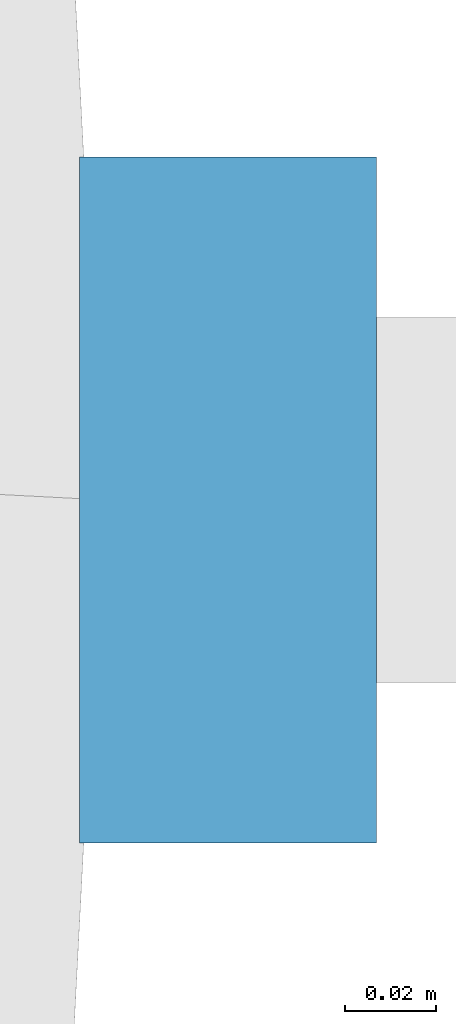
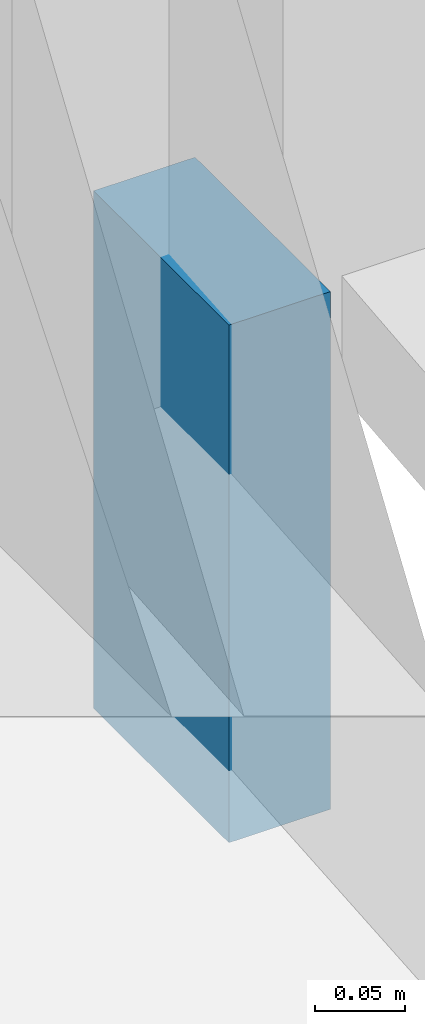
# One storey, part 16 of 20: 1 discrete accessory.
"""IFC4 building model written with IfcOpenShell, lengths in metres."""

from ifc_helpers import new_model, si_unit, direction, frame, origin, origin_2d, place, context, subcontext, project, spatial, rectangle, extrude, material, type_object, element, save


model = new_model("IFC4")

# Units and contexts
model_context = context("Model", 3, precision=1e-05, world=origin(), true_north=direction((0.0, 1.0)))
body_context = subcontext(model_context, "Body", "Model", "MODEL_VIEW")
ifc_project = project(units=[si_unit("LENGTHUNIT", "METRE"), si_unit("AREAUNIT", "SQUARE_METRE"), si_unit("VOLUMEUNIT", "CUBIC_METRE"), si_unit("PLANEANGLEUNIT", "RADIAN"), si_unit("MASSUNIT", "GRAM", prefix="KILO")], contexts=[model_context])

# Site, building, storey
site_placement = place(None, origin())
site = spatial("IfcSite", under=ifc_project, at=site_placement, CompositionType="ELEMENT")
building_placement = place(site_placement, origin())
building = spatial("IfcBuilding", under=site, at=building_placement, Name="Ghaith Harvest Tower", CompositionType="ELEMENT")
storey_placement = place(building_placement, frame((0.0, 0.0, 50.0)))
storey = spatial("IfcBuildingStorey", under=building, at=storey_placement, Name="L10", CompositionType="ELEMENT", Elevation=50.0)

# Discrete accessory
ifc_material = material(Name="Stainless steel grade 1.4401", Category="steel")
discrete_accessory_type = type_object("IfcDiscreteAccessoryType", Name="CURTAIN WALL BRACKET 65", PredefinedType="BRACKET", material=ifc_material)
discrete_accessory_placement = place(storey_placement, frame((34.152587890625, 0.0, -0.25), z_axis=(0.0, 0.0, 1.0), x_axis=(1.0, 0.0, 0.0)))
element("IfcDiscreteAccessory", 1, at=discrete_accessory_placement, inside=storey, type_object=discrete_accessory_type, Name="CW-F bracket 1 bay 01 L10", PredefinedType="BRACKET", context=body_context, shape_type="SweptSolid", body=[
    extrude(rectangle(XDim=0.06494140625, YDim=0.14990234375, at=origin_2d()), origin(), (0.0, 0.0, 1.0), 0.35009765625),
])

save(model, "model.ifc")
